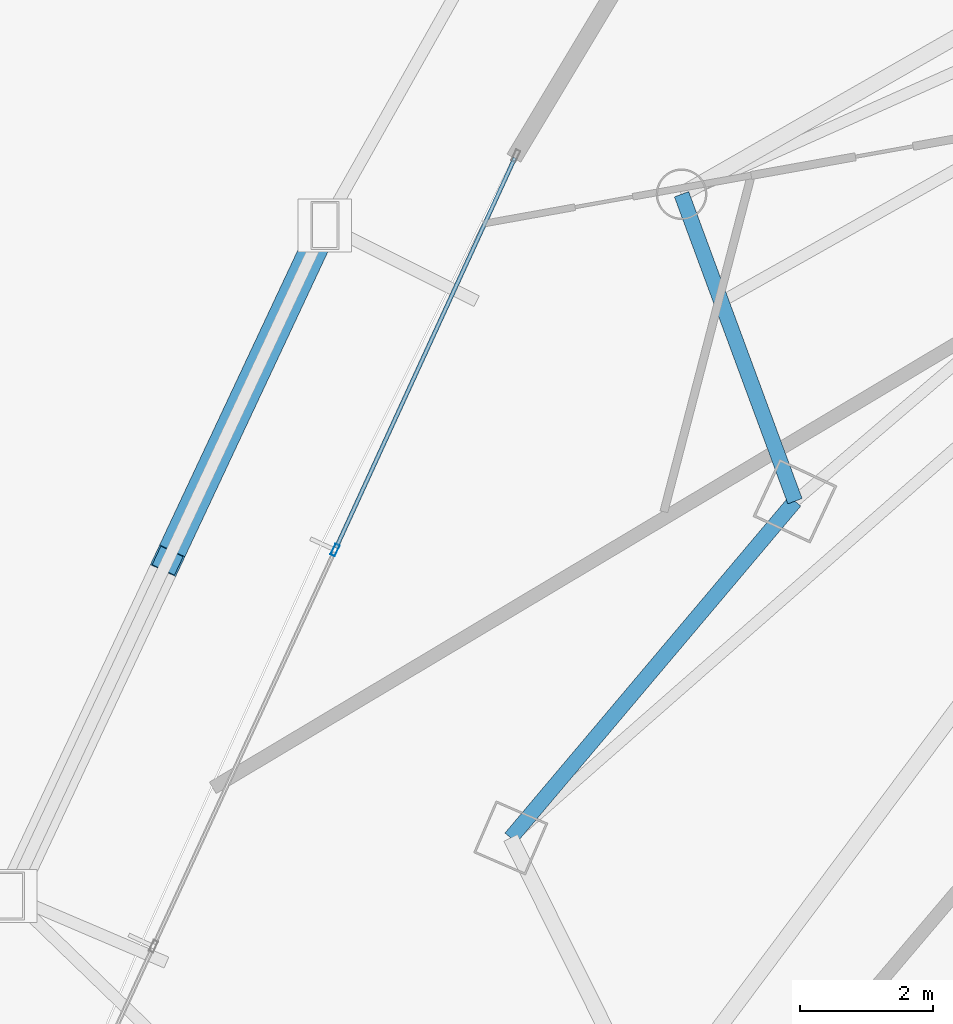
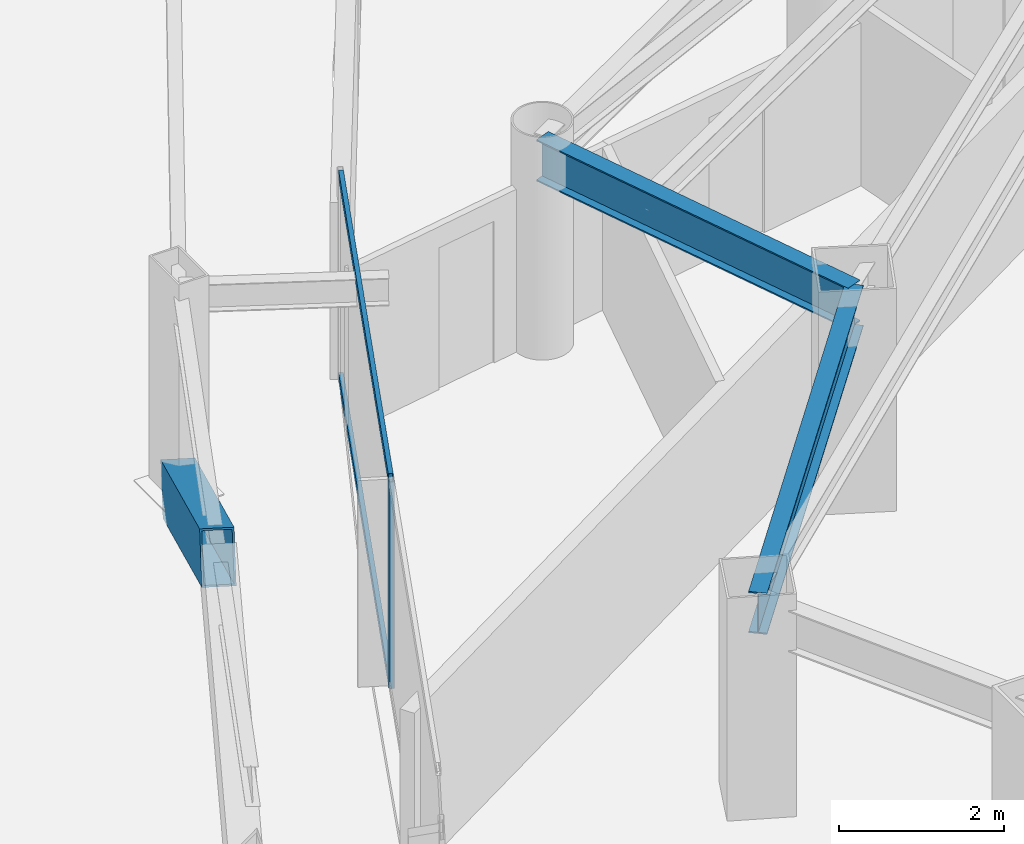
# One storey, part 8 of 36: 4 members, 2 beams, 1 element without a shape of its own.
"""IFC4 building model written with IfcOpenShell, lengths in metres."""

from ifc_helpers import new_model, si_unit, direction, frame, origin, origin_2d, place, context, subcontext, project, spatial, hollow_rectangle, i_section, extrude, material, layer, layer_set, material_profile, profile_set, type_object, element, aggregate, save


model = new_model("IFC4")

# Units and contexts
model_context = context("Model", 3, precision=1e-05, world=origin(), true_north=direction((0.0, 1.0)))
body_context = subcontext(model_context, "Body", "Model", "MODEL_VIEW")
ifc_project = project(units=[si_unit("LENGTHUNIT", "METRE"), si_unit("AREAUNIT", "SQUARE_METRE"), si_unit("VOLUMEUNIT", "CUBIC_METRE"), si_unit("PLANEANGLEUNIT", "RADIAN"), si_unit("MASSUNIT", "GRAM", prefix="KILO")], contexts=[model_context])

# Site, building, storey
site_placement = place(None, origin())
site = spatial("IfcSite", under=ifc_project, at=site_placement, CompositionType="ELEMENT")
building_placement = place(site_placement, origin())
building = spatial("IfcBuilding", under=site, at=building_placement, Name="Orvanel Arch Residences", CompositionType="ELEMENT")
storey_placement = place(building_placement, frame((0.0, 0.0, 23.60009765625)))
storey = spatial("IfcBuildingStorey", under=building, at=storey_placement, Name="L05", CompositionType="ELEMENT", Elevation=23.60009765625)

# Member
ifc_material_1 = material(Name="Structural steel AS/NZS 3678 Grade 350", Category="steel")
ifc_material_profile_1 = material_profile(ifc_material_1, hollow_rectangle(XDim=0.419921875, YDim=0.719970703125, WallThickness=0.02490234375, at=origin_2d()), Name="RHS720x420x25")
ifc_profile_set_1 = profile_set([ifc_material_profile_1], Name="Structural steel AS/NZS 3678 Grade 350")
member_type_1 = type_object("IfcMemberType", Name="BR-720RHS-EXT", PredefinedType="BRACE", material=ifc_profile_set_1)
member_1_placement = place(storey_placement, frame((9.300048828125, 23.787109375, 0.0), z_axis=(-0.377672801172, -0.805525086, 0.45660988938), x_axis=(0.905423115219, -0.42451028542, 0.0)))
element("IfcMember", 1, at=member_1_placement, inside=storey, type_object=member_type_1, Name="L05 Exterior Sky-Garden V-Frame Chevron F1B3.1", PredefinedType="BRACE", context=body_context, shape_type="SweptSolid", body=[
    extrude(hollow_rectangle(XDim=0.419921875, YDim=0.719970703125, WallThickness=0.02490234375, at=origin_2d()), origin(), (0.0, 0.0, 1.0), 6.2568359375),
])

# Curtain wall, member
ifc_material_2 = material(Name="Bronze-anodised aluminium AA6063-T6", Category="aluminium")
ifc_layer = layer(ifc_material_2, 0.179931640625)
ifc_layer_set = layer_set([ifc_layer], Name="Bronze-anodised aluminium AA6063-T6")
curtain_wall_type = type_object("IfcCurtainWallType", Name="CW2-LOW-SYS", PredefinedType="NOTDEFINED", material=ifc_layer_set)
curtain_wall_placement = place(storey_placement, origin())
curtain_wall = element("IfcCurtainWall", 2, at=curtain_wall_placement, inside=storey, type_object=curtain_wall_type, Name="L05 CW2-LOW-SYS Unitised Curtain Wall", PredefinedType="NOTDEFINED")
ifc_material_profile_2 = material_profile(ifc_material_2, hollow_rectangle(XDim=0.070068359375, YDim=0.179931640625, WallThickness=0.00439453125, at=origin_2d()), Name="ALU180x70x4.5")
ifc_profile_set_2 = profile_set([ifc_material_profile_2], Name="Bronze-anodised aluminium AA6063-T6")
member_type_2 = type_object("IfcMemberType", Name="MUL-180x70", PredefinedType="MULLION", material=ifc_profile_set_2)
member_2_placement = place(storey_placement, frame((9.4541015625, 18.908447265625, 0.0), z_axis=(0.0, 0.0, 1.0), x_axis=(0.909015042916, -0.416763304229, 0.0)))
member_2 = element("IfcMember", 3, at=member_2_placement, type_object=member_type_2, Name="CW-S2 mullion 2", PredefinedType="MULLION", context=body_context, shape_type="SweptSolid", body=[
    extrude(hollow_rectangle(XDim=0.070068359375, YDim=0.179931640625, WallThickness=0.00439453125, at=origin_2d()), origin(), (0.0, 0.0, 1.0), 3.059814453125),
])

# Beams
ifc_material_3 = material(Name="Structural steel AS/NZS 3679.1 Grade 300 (300 MPa)", Category="steel")
ifc_material_profile_3 = material_profile(ifc_material_3, i_section(OverallWidth=0.22900390625, OverallDepth=0.612060546875, WebThickness=0.011962890625, FlangeThickness=0.01953125, at=origin_2d()), Name="610UB125")
ifc_profile_set_3 = profile_set([ifc_material_profile_3], Name="Structural steel AS/NZS 3679.1 Grade 300 (300 MPa)")
beam_type = type_object("IfcBeamType", Name="SP-610UB", PredefinedType="SPANDREL", material=ifc_profile_set_3)
beam_1_placement = place(storey_placement, frame((16.366943359375, 19.64208984375, 2.75390625), z_axis=(-0.644950329775, -0.764224490659, 0.0), x_axis=(0.764224490659, -0.644950329775, 0.0)))
element("IfcBeam", 4, at=beam_1_placement, inside=storey, type_object=beam_type, Name="L05 Perimeter Spandrel Beam 01", PredefinedType="SPANDREL", context=body_context, shape_type="SweptSolid", body=[
    extrude(i_section(OverallWidth=0.22900390625, OverallDepth=0.612060546875, WebThickness=0.011962890625, FlangeThickness=0.01953125, at=origin_2d()), origin(), (0.0, 0.0, 1.0), 6.623779296875),
])
beam_2_placement = place(storey_placement, frame((14.662109375, 24.256103515625, 2.75390625), z_axis=(0.346588434017, -0.938017301229, 0.0), x_axis=(0.938017301229, 0.346588434017, 0.0)))
element("IfcBeam", 5, at=beam_2_placement, inside=storey, type_object=beam_type, Name="L05 Perimeter Spandrel Beam 22", PredefinedType="SPANDREL", context=body_context, shape_type="SweptSolid", body=[
    extrude(i_section(OverallWidth=0.22900390625, OverallDepth=0.612060546875, WebThickness=0.011962890625, FlangeThickness=0.01953125, at=origin_2d()), origin(), (0.0, 0.0, 1.0), 4.9189453125),
])

# Member
ifc_material_profile_4 = material_profile(ifc_material_2, hollow_rectangle(XDim=0.06005859375, YDim=0.135009765625, WallThickness=0.00390625, at=origin_2d()), Name="ALU135x60x4")
ifc_profile_set_4 = profile_set([ifc_material_profile_4], Name="Bronze-anodised aluminium AA6063-T6")
member_type_3 = type_object("IfcMemberType", Name="TRN-135x60", PredefinedType="USERDEFINED", material=ifc_profile_set_4)
member_3_placement = place(storey_placement, frame((12.15576171875, 24.80126953125, 0.02978515625), z_axis=(-0.416773352325, -0.909010436019, 0.0), x_axis=(0.909010436019, -0.416773352325, 0.0)))
member_3 = element("IfcMember", 6, at=member_3_placement, type_object=member_type_3, Name="CW-S2 transom 1.1", ObjectType="TRANSOM", PredefinedType="USERDEFINED", context=body_context, shape_type="SweptSolid", body=[
    extrude(hollow_rectangle(XDim=0.06005859375, YDim=0.135009765625, WallThickness=0.00390625, at=origin_2d()), origin(), (0.0, 0.0, 1.0), 6.44775390625),
])

member_4_placement = place(storey_placement, frame((12.15576171875, 24.80126953125, 3.02978515625), z_axis=(-0.416773352325, -0.909010436019, 0.0), x_axis=(0.909010436019, -0.416773352325, 0.0)))
member_4 = element("IfcMember", 7, at=member_4_placement, type_object=member_type_3, Name="CW-S2 transom 1.2", ObjectType="TRANSOM", PredefinedType="USERDEFINED", context=body_context, shape_type="SweptSolid", body=[
    extrude(hollow_rectangle(XDim=0.06005859375, YDim=0.135009765625, WallThickness=0.00390625, at=origin_2d()), origin(), (0.0, 0.0, 1.0), 6.44775390625),
])

aggregate(curtain_wall, [member_2, member_3, member_4])

save(model, "model.ifc")
